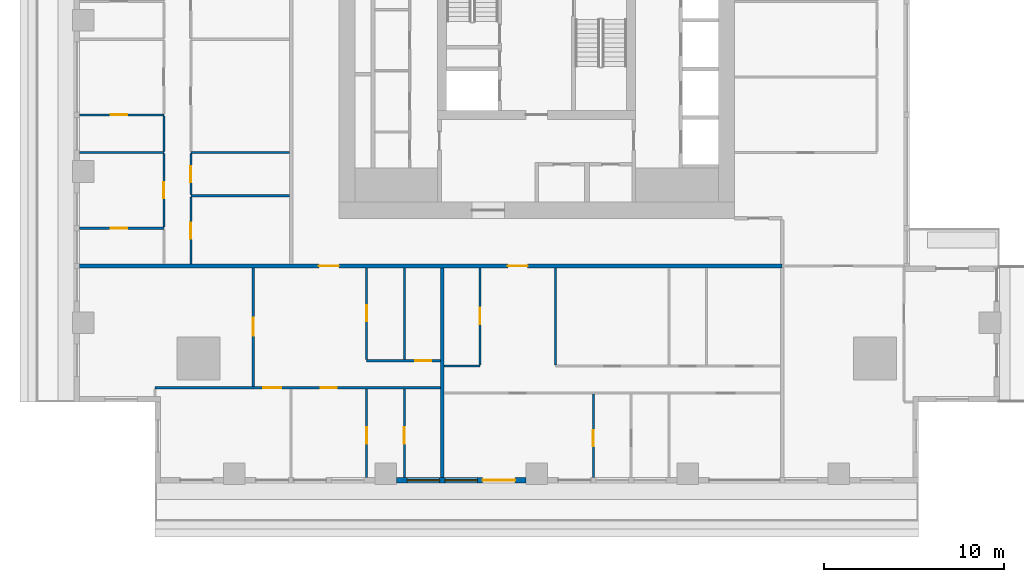
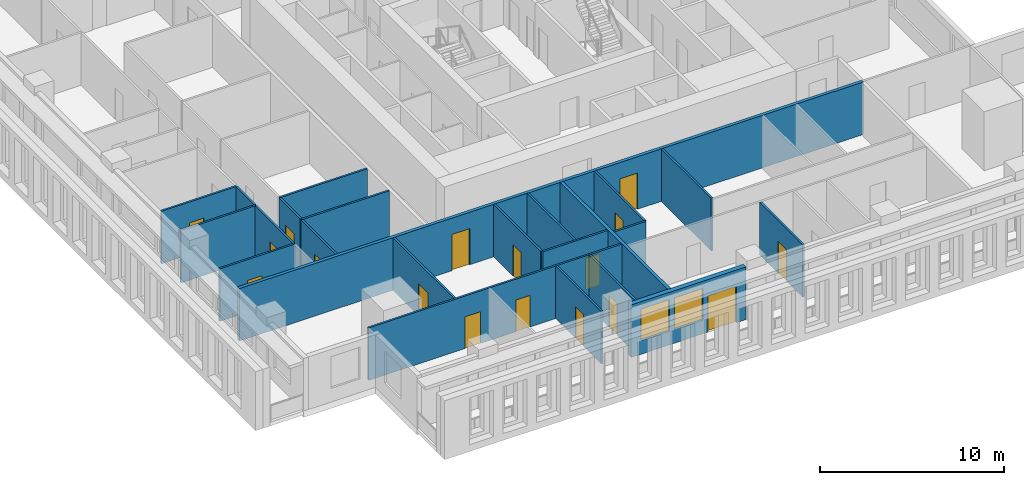
# One storey, part 2 of 15: 23 walls, 17 doors, 2 windows, 19 openings.
"""IFC4 building model written with IfcOpenShell, lengths in metres."""

from ifc_helpers import new_model, si_unit, direction, frame, frame_2d, origin, place, context, subcontext, project, spatial, rectangle, extrude, material, layer, layer_set, type_object, element, fill, save


model = new_model("IFC4")

# Units and contexts
model_context = context("Model", 3, precision=1e-05, world=origin(), true_north=direction((0.0, 1.0)))
body_context = subcontext(model_context, "Body", "Model", "MODEL_VIEW")
ifc_project = project(units=[si_unit("LENGTHUNIT", "METRE"), si_unit("AREAUNIT", "SQUARE_METRE"), si_unit("VOLUMEUNIT", "CUBIC_METRE"), si_unit("PLANEANGLEUNIT", "RADIAN"), si_unit("MASSUNIT", "GRAM", prefix="KILO")], contexts=[model_context])

# Site, building, storey
site_placement = place(None, origin())
site = spatial("IfcSite", under=ifc_project, at=site_placement, CompositionType="ELEMENT")
building_placement = place(site_placement, origin())
building = spatial("IfcBuilding", under=site, at=building_placement, Name="Khepri Terraces", CompositionType="ELEMENT")
storey_placement = place(building_placement, frame((0.0, 0.0, 227.39990234375)))
storey = spatial("IfcBuildingStorey", under=building, at=storey_placement, Name="L54", CompositionType="ELEMENT", Elevation=227.39990234375)

# Wall
ifc_material_1 = material(Name="Fire-rated gypsum plasterboard partition, mineral wool")
ifc_layer_1 = layer(ifc_material_1, 0.199951171875, Name="Fire-rated gypsum plasterboard partition, mineral wool")
ifc_layer_set_1 = layer_set([ifc_layer_1], Name="Fire-rated gypsum plasterboard partition, mineral wool")
wall_type_1 = type_object("IfcWallType", Name="WL-CORR-200", PredefinedType="PARTITIONING", material=ifc_layer_set_1)
wall_1_placement = place(storey_placement, frame((-5.25, -25.419921875, 0.0), z_axis=(0.0, 0.0, 1.0), x_axis=(0.0, 1.0, 0.0)))
element("IfcWall", 1, at=wall_1_placement, inside=storey, type_object=wall_type_1, Name="Partition P-004 L54", PredefinedType="PARTITIONING", context=body_context, shape_type="SweptSolid", body=[
    extrude(rectangle(XDim=11.669921875, YDim=0.199951171875, at=frame_2d((5.8349609375, 0.0))), origin(), (0.0, 0.0, 1.0), 3.47998046875),
])

# Wall, openings, doors
wall_2_placement = place(storey_placement, frame((-25.419921875, -13.64990234375, 0.0), z_axis=(0.0, 0.0, 1.0), x_axis=(1.0, 0.0, 0.0)))
wall_2 = element("IfcWall", 2, at=wall_2_placement, inside=storey, type_object=wall_type_1, Name="Partition P-025 L54", PredefinedType="PARTITIONING", context=body_context, shape_type="SweptSolid", body=[
    extrude(rectangle(XDim=39.06982421875, YDim=0.199951171875, at=frame_2d((19.534912109375, 0.0))), origin(), (0.0, 0.0, 1.0), 3.47998046875),
])
opening_1_placement = place(wall_2_placement, frame((13.320068359375, 0.0, 0.0)))
opening_1 = element("IfcOpeningElement", 3, at=opening_1_placement, cuts=wall_2, Name="Opening D1", PredefinedType="OPENING", context=body_context, shape_type="SweptSolid", body=[
    extrude(rectangle(XDim=1.10009765625, YDim=2.39990234375, at=frame_2d((0.550048828125, 1.199951171875))), frame((0.0, 0.10986328125, 0.0), z_axis=(0.0, -1.0, 0.0), x_axis=(1.0, 0.0, 0.0)), (0.0, 0.0, 1.0), 0.219970703125),
])
opening_2_placement = place(wall_2_placement, frame((23.820068359375, 0.0, 0.0)))
opening_2 = element("IfcOpeningElement", 4, at=opening_2_placement, cuts=wall_2, Name="Opening D1", PredefinedType="OPENING", context=body_context, shape_type="SweptSolid", body=[
    extrude(rectangle(XDim=1.10009765625, YDim=2.39990234375, at=frame_2d((0.550048828125, 1.199951171875))), frame((0.0, 0.10986328125, 0.0), z_axis=(0.0, -1.0, 0.0), x_axis=(1.0, 0.0, 0.0)), (0.0, 0.0, 1.0), 0.219970703125),
])
ifc_material_2 = material(Name="Solid-core timber door leaf, flat entrance door", Category="wood")
door_type_1 = type_object("IfcDoorType", Name="DR-ENT-1100", OperationType="NOTDEFINED", PredefinedType="DOOR", material=ifc_material_2)
door_1_placement = place(opening_1_placement, frame((1.10009765625, 0.0, 0.0), z_axis=(0.0, 0.0, 1.0), x_axis=(-1.0, 0.0, 0.0)))
door_1 = element("IfcDoor", 5, at=door_1_placement, inside=storey, type_object=door_type_1, Name="Flat A1 entrance door", OperationType="SINGLE_SWING_RIGHT", OverallHeight=2.39990234375, OverallWidth=1.10009765625, PredefinedType="DOOR", context=body_context, shape_type="SweptSolid", body=[
    extrude(rectangle(XDim=1.10009765625, YDim=2.39990234375, at=frame_2d((0.550048828125, 1.199951171875))), frame((0.0, 0.02490234375, 0.0), z_axis=(0.0, -1.0, 0.0), x_axis=(1.0, 0.0, 0.0)), (0.0, 0.0, 1.0), 0.050048828125),
])
fill(opening_1, door_1)
door_2_placement = place(opening_2_placement, frame((1.10009765625, 0.0, 0.0), z_axis=(0.0, 0.0, 1.0), x_axis=(-1.0, 0.0, 0.0)))
door_2 = element("IfcDoor", 6, at=door_2_placement, inside=storey, type_object=door_type_1, Name="Flat A2 entrance door", OperationType="SINGLE_SWING_LEFT", OverallHeight=2.39990234375, OverallWidth=1.10009765625, PredefinedType="DOOR", context=body_context, shape_type="SweptSolid", body=[
    extrude(rectangle(XDim=1.10009765625, YDim=2.39990234375, at=frame_2d((0.550048828125, 1.199951171875))), frame((0.0, 0.02490234375, 0.0), z_axis=(0.0, -1.0, 0.0), x_axis=(1.0, 0.0, 0.0)), (0.0, 0.0, 1.0), 0.050048828125),
])
fill(opening_2, door_2)

# Wall, openings, door, windows
ifc_material_3 = material(Name="Precast concrete C50/60 warm stone", Category="masonry")
ifc_layer_2 = layer(ifc_material_3, 0.300048828125, Name="Precast concrete C50/60 warm stone", Category="masonry")
ifc_layer_set_2 = layer_set([ifc_layer_2], Name="Precast concrete C50/60 warm stone")
wall_type_2 = type_object("IfcWallType", Name="WL-EXT-PRECAST-300", PredefinedType="STANDARD", material=ifc_layer_set_2)
wall_3_placement = place(storey_placement, frame((-7.800048828125, -25.570068359375, 0.0), z_axis=(0.0, 0.0, 1.0), x_axis=(1.0, 0.0, 0.0)))
wall_3 = element("IfcWall", 7, at=wall_3_placement, inside=storey, type_object=wall_type_2, Name="External wall L54 S", PredefinedType="STANDARD", context=body_context, shape_type="SweptSolid", body=[
    extrude(rectangle(XDim=7.199951171875, YDim=0.300048828125, at=frame_2d((3.60009765625, 0.0))), origin(), (0.0, 0.0, 1.0), 3.47998046875),
])
opening_3_placement = place(wall_3_placement, frame((0.60009765625, 0.0, 0.89990234375)))
opening_3 = element("IfcOpeningElement", 8, at=opening_3_placement, cuts=wall_3, Name="Opening W1", PredefinedType="OPENING", context=body_context, shape_type="SweptSolid", body=[
    extrude(rectangle(XDim=1.800048828125, YDim=2.10009765625, at=frame_2d((0.89990234375, 1.050048828125))), frame((0.0, 0.16015625, 0.0), z_axis=(0.0, -1.0, 0.0), x_axis=(1.0, 0.0, 0.0)), (0.0, 0.0, 1.0), 0.320068359375),
])
opening_4_placement = place(wall_3_placement, frame((2.699951171875, 0.0, 0.89990234375)))
opening_4 = element("IfcOpeningElement", 9, at=opening_4_placement, cuts=wall_3, Name="Opening W1", PredefinedType="OPENING", context=body_context, shape_type="SweptSolid", body=[
    extrude(rectangle(XDim=1.800048828125, YDim=2.10009765625, at=frame_2d((0.89990234375, 1.050048828125))), frame((0.0, 0.16015625, 0.0), z_axis=(0.0, -1.0, 0.0), x_axis=(1.0, 0.0, 0.0)), (0.0, 0.0, 1.0), 0.320068359375),
])
opening_5_placement = place(wall_3_placement, frame((4.800048828125, 0.0, 0.0)))
opening_5 = element("IfcOpeningElement", 10, at=opening_5_placement, cuts=wall_3, Name="Opening ED-L54-16", PredefinedType="OPENING", context=body_context, shape_type="SweptSolid", body=[
    extrude(rectangle(XDim=1.800048828125, YDim=2.39990234375, at=frame_2d((0.89990234375, 1.199951171875))), frame((0.0, 0.16015625, 0.0), z_axis=(0.0, -1.0, 0.0), x_axis=(1.0, 0.0, 0.0)), (0.0, 0.0, 1.0), 0.320068359375),
])
ifc_material_4 = material(Name="Anodised aluminium bronze glazed door", Category="aluminium")
door_type_2 = type_object("IfcDoorType", Name="DR-BAL-SLIDE-1800x2400", OperationType="NOTDEFINED", PredefinedType="DOOR", material=ifc_material_4)
door_3_placement = place(opening_5_placement, origin())
door_3 = element("IfcDoor", 11, at=door_3_placement, inside=storey, type_object=door_type_2, Name="Balcony door L54 S", OperationType="SLIDING_TO_RIGHT", OverallHeight=2.39990234375, OverallWidth=1.800048828125, PredefinedType="DOOR", context=body_context, shape_type="SweptSolid", body=[
    extrude(rectangle(XDim=1.800048828125, YDim=2.39990234375, at=frame_2d((0.89990234375, 1.199951171875))), frame((0.0, 0.02490234375, 0.0), z_axis=(0.0, -1.0, 0.0), x_axis=(1.0, 0.0, 0.0)), (0.0, 0.0, 1.0), 0.050048828125),
])
fill(opening_5, door_3)
ifc_material_5 = material(Name="Clear glass", Category="glass")
window_type = type_object("IfcWindowType", Name="WIN-RES-1800x2100", PartitioningType="SINGLE_PANEL", PredefinedType="WINDOW", material=ifc_material_5)
window_1_placement = place(opening_3_placement, origin())
window_1 = element("IfcWindow", 12, at=window_1_placement, inside=storey, type_object=window_type, Name="Window L54 S", OverallHeight=2.10009765625, OverallWidth=1.800048828125, PartitioningType="SINGLE_PANEL", PredefinedType="WINDOW", context=body_context, shape_type="SweptSolid", body=[
    extrude(rectangle(XDim=1.800048828125, YDim=2.10009765625, at=frame_2d((0.89990234375, 1.050048828125))), frame((0.0, 0.030029296875, 0.0), z_axis=(0.0, -1.0, 0.0), x_axis=(1.0, 0.0, 0.0)), (0.0, 0.0, 1.0), 0.06005859375),
])
fill(opening_3, window_1)
window_2_placement = place(opening_4_placement, origin())
window_2 = element("IfcWindow", 13, at=window_2_placement, inside=storey, type_object=window_type, Name="Window L54 S", OverallHeight=2.10009765625, OverallWidth=1.800048828125, PartitioningType="SINGLE_PANEL", PredefinedType="WINDOW", context=body_context, shape_type="SweptSolid", body=[
    extrude(rectangle(XDim=1.800048828125, YDim=2.10009765625, at=frame_2d((0.89990234375, 1.050048828125))), frame((0.0, 0.030029296875, 0.0), z_axis=(0.0, -1.0, 0.0), x_axis=(1.0, 0.0, 0.0)), (0.0, 0.0, 1.0), 0.06005859375),
])
fill(opening_4, window_2)

# Wall, opening, door
ifc_material_6 = material(Name="Gypsum plasterboard partition")
ifc_layer_3 = layer(ifc_material_6, 0.1201171875, Name="Gypsum plasterboard partition")
ifc_layer_set_3 = layer_set([ifc_layer_3], Name="Gypsum plasterboard partition")
wall_type_3 = type_object("IfcWallType", Name="WL-PART-120", PredefinedType="PARTITIONING", material=ifc_layer_set_3)
wall_4_placement = place(storey_placement, frame((-9.449951171875, -25.419921875, 0.0), z_axis=(0.0, 0.0, 1.0), x_axis=(0.0, 1.0, 0.0)))
wall_4 = element("IfcWall", 14, at=wall_4_placement, inside=storey, type_object=wall_type_3, Name="Partition P-002 L54", PredefinedType="PARTITIONING", context=body_context, shape_type="SweptSolid", body=[
    extrude(rectangle(XDim=4.93994140625, YDim=0.1201171875, at=frame_2d((2.469970703125, 0.0))), origin(), (0.0, 0.0, 1.0), 3.47998046875),
])
opening_6_placement = place(wall_4_placement, frame((1.89990234375, 0.0, 0.0)))
opening_6 = element("IfcOpeningElement", 15, at=opening_6_placement, cuts=wall_4, Name="Opening D3", PredefinedType="OPENING", context=body_context, shape_type="SweptSolid", body=[
    extrude(rectangle(XDim=0.89990234375, YDim=2.10009765625, at=frame_2d((0.449951171875, 1.050048828125))), frame((0.0, 0.070068359375, 0.0), z_axis=(0.0, -1.0, 0.0), x_axis=(1.0, 0.0, 0.0)), (0.0, 0.0, 1.0), 0.14013671875),
])
ifc_material_7 = material(Name="Timber door leaf", Category="wood")
door_type_3 = type_object("IfcDoorType", Name="DR-INT-900", OperationType="NOTDEFINED", PredefinedType="DOOR", material=ifc_material_7)
door_4_placement = place(opening_6_placement, frame((0.89990234375, 0.0, 0.0), z_axis=(0.0, 0.0, 1.0), x_axis=(-1.0, 0.0, 0.0)))
door_4 = element("IfcDoor", 16, at=door_4_placement, inside=storey, type_object=door_type_3, Name="Door Dressing Room", OperationType="SINGLE_SWING_RIGHT", OverallHeight=2.10009765625, OverallWidth=0.89990234375, PredefinedType="DOOR", context=body_context, shape_type="SweptSolid", body=[
    extrude(rectangle(XDim=0.89990234375, YDim=2.10009765625, at=frame_2d((0.449951171875, 1.050048828125))), frame((0.0, 0.02490234375, 0.0), z_axis=(0.0, -1.0, 0.0), x_axis=(1.0, 0.0, 0.0)), (0.0, 0.0, 1.0), 0.050048828125),
])
fill(opening_6, door_4)

wall_5_placement = place(storey_placement, frame((-7.35009765625, -25.419921875, 0.0), z_axis=(0.0, 0.0, 1.0), x_axis=(0.0, 1.0, 0.0)))
wall_5 = element("IfcWall", 17, at=wall_5_placement, inside=storey, type_object=wall_type_3, Name="Partition P-003 L54", PredefinedType="PARTITIONING", context=body_context, shape_type="SweptSolid", body=[
    extrude(rectangle(XDim=4.93994140625, YDim=0.1201171875, at=frame_2d((2.469970703125, 0.0))), origin(), (0.0, 0.0, 1.0), 3.47998046875),
])
opening_7_placement = place(wall_5_placement, frame((1.89990234375, 0.0, 0.0)))
opening_7 = element("IfcOpeningElement", 18, at=opening_7_placement, cuts=wall_5, Name="Opening D4", PredefinedType="OPENING", context=body_context, shape_type="SweptSolid", body=[
    extrude(rectangle(XDim=0.89990234375, YDim=2.10009765625, at=frame_2d((0.449951171875, 1.050048828125))), frame((0.0, 0.070068359375, 0.0), z_axis=(0.0, -1.0, 0.0), x_axis=(1.0, 0.0, 0.0)), (0.0, 0.0, 1.0), 0.14013671875),
])
ifc_material_8 = material(Name="Timber door leaf, moisture resistant", Category="wood")
door_type_4 = type_object("IfcDoorType", Name="DR-WET-900", OperationType="NOTDEFINED", PredefinedType="DOOR", material=ifc_material_8)
door_5_placement = place(opening_7_placement, frame((0.89990234375, 0.0, 0.0), z_axis=(0.0, 0.0, 1.0), x_axis=(-1.0, 0.0, 0.0)))
door_5 = element("IfcDoor", 19, at=door_5_placement, inside=storey, type_object=door_type_4, Name="Door Bathroom", OperationType="SINGLE_SWING_RIGHT", OverallHeight=2.10009765625, OverallWidth=0.89990234375, PredefinedType="DOOR", context=body_context, shape_type="SweptSolid", body=[
    extrude(rectangle(XDim=0.89990234375, YDim=2.10009765625, at=frame_2d((0.449951171875, 1.050048828125))), frame((0.0, 0.02490234375, 0.0), z_axis=(0.0, -1.0, 0.0), x_axis=(1.0, 0.0, 0.0)), (0.0, 0.0, 1.0), 0.050048828125),
])
fill(opening_7, door_5)

wall_6_placement = place(storey_placement, frame((3.14990234375, -25.419921875, 0.0), z_axis=(0.0, 0.0, 1.0), x_axis=(0.0, 1.0, 0.0)))
wall_6 = element("IfcWall", 20, at=wall_6_placement, inside=storey, type_object=wall_type_3, Name="Partition P-005 L54", PredefinedType="PARTITIONING", context=body_context, shape_type="SweptSolid", body=[
    extrude(rectangle(XDim=4.639892578125, YDim=0.1201171875, at=frame_2d((2.31982421875, 0.0))), origin(), (0.0, 0.0, 1.0), 3.47998046875),
])
opening_8_placement = place(wall_6_placement, frame((1.75, 0.0, 0.0)))
opening_8 = element("IfcOpeningElement", 21, at=opening_8_placement, cuts=wall_6, Name="Opening D3", PredefinedType="OPENING", context=body_context, shape_type="SweptSolid", body=[
    extrude(rectangle(XDim=0.89990234375, YDim=2.10009765625, at=frame_2d((0.449951171875, 1.050048828125))), frame((0.0, 0.070068359375, 0.0), z_axis=(0.0, -1.0, 0.0), x_axis=(1.0, 0.0, 0.0)), (0.0, 0.0, 1.0), 0.14013671875),
])
door_6_placement = place(opening_8_placement, frame((0.89990234375, 0.0, 0.0), z_axis=(0.0, 0.0, 1.0), x_axis=(-1.0, 0.0, 0.0)))
door_6 = element("IfcDoor", 22, at=door_6_placement, inside=storey, type_object=door_type_3, Name="Door Dressing Room", OperationType="SINGLE_SWING_RIGHT", OverallHeight=2.10009765625, OverallWidth=0.89990234375, PredefinedType="DOOR", context=body_context, shape_type="SweptSolid", body=[
    extrude(rectangle(XDim=0.89990234375, YDim=2.10009765625, at=frame_2d((0.449951171875, 1.050048828125))), frame((0.0, 0.02490234375, 0.0), z_axis=(0.0, -1.0, 0.0), x_axis=(1.0, 0.0, 0.0)), (0.0, 0.0, 1.0), 0.050048828125),
])
fill(opening_8, door_6)

# Wall, openings, doors
wall_7_placement = place(storey_placement, frame((-21.218994140625, -20.419921875, 0.0), z_axis=(0.0, 0.0, 1.0), x_axis=(1.0, 0.0, 0.0)))
wall_7 = element("IfcWall", 23, at=wall_7_placement, inside=storey, type_object=wall_type_3, Name="Partition P-013 L54", PredefinedType="PARTITIONING", context=body_context, shape_type="SweptSolid", body=[
    extrude(rectangle(XDim=15.868896484375, YDim=0.1201171875, at=frame_2d((7.9345703125, 0.0))), origin(), (0.0, 0.0, 1.0), 3.47998046875),
])
opening_9_placement = place(wall_7_placement, frame((6.01904296875, 0.0, 0.0)))
opening_9 = element("IfcOpeningElement", 24, at=opening_9_placement, cuts=wall_7, Name="Opening D2", PredefinedType="OPENING", context=body_context, shape_type="SweptSolid", body=[
    extrude(rectangle(XDim=1.0, YDim=2.10009765625, at=frame_2d((0.5, 1.050048828125))), frame((0.0, 0.070068359375, 0.0), z_axis=(0.0, -1.0, 0.0), x_axis=(1.0, 0.0, 0.0)), (0.0, 0.0, 1.0), 0.14013671875),
])
opening_10_placement = place(wall_7_placement, frame((9.218994140625, 0.0, 0.0)))
opening_10 = element("IfcOpeningElement", 25, at=opening_10_placement, cuts=wall_7, Name="Opening D3", PredefinedType="OPENING", context=body_context, shape_type="SweptSolid", body=[
    extrude(rectangle(XDim=0.89990234375, YDim=2.10009765625, at=frame_2d((0.449951171875, 1.050048828125))), frame((0.0, 0.070068359375, 0.0), z_axis=(0.0, -1.0, 0.0), x_axis=(1.0, 0.0, 0.0)), (0.0, 0.0, 1.0), 0.14013671875),
])
ifc_material_9 = material(Name="Timber door leaf, living room door", Category="wood")
door_type_5 = type_object("IfcDoorType", Name="DR-INT-1000", OperationType="NOTDEFINED", PredefinedType="DOOR", material=ifc_material_9)
door_7_placement = place(opening_9_placement, frame((1.0, 0.0, 0.0), z_axis=(0.0, 0.0, 1.0), x_axis=(-1.0, 0.0, 0.0)))
door_7 = element("IfcDoor", 26, at=door_7_placement, inside=storey, type_object=door_type_5, Name="Door Living Room", OperationType="SINGLE_SWING_RIGHT", OverallHeight=2.10009765625, OverallWidth=1.0, PredefinedType="DOOR", context=body_context, shape_type="SweptSolid", body=[
    extrude(rectangle(XDim=1.0, YDim=2.10009765625, at=frame_2d((0.5, 1.050048828125))), frame((0.0, 0.02490234375, 0.0), z_axis=(0.0, -1.0, 0.0), x_axis=(1.0, 0.0, 0.0)), (0.0, 0.0, 1.0), 0.050048828125),
])
fill(opening_9, door_7)
door_8_placement = place(opening_10_placement, frame((0.89990234375, 0.0, 0.0), z_axis=(0.0, 0.0, 1.0), x_axis=(-1.0, 0.0, 0.0)))
door_8 = element("IfcDoor", 27, at=door_8_placement, inside=storey, type_object=door_type_3, Name="Door Master Bedroom", OperationType="SINGLE_SWING_LEFT", OverallHeight=2.10009765625, OverallWidth=0.89990234375, PredefinedType="DOOR", context=body_context, shape_type="SweptSolid", body=[
    extrude(rectangle(XDim=0.89990234375, YDim=2.10009765625, at=frame_2d((0.449951171875, 1.050048828125))), frame((0.0, 0.02490234375, 0.0), z_axis=(0.0, -1.0, 0.0), x_axis=(1.0, 0.0, 0.0)), (0.0, 0.0, 1.0), 0.050048828125),
])
fill(opening_10, door_8)

# Wall, opening, door
wall_8_placement = place(storey_placement, frame((-15.75, -20.360107421875, 0.0), z_axis=(0.0, 0.0, 1.0), x_axis=(0.0, 1.0, 0.0)))
wall_8 = element("IfcWall", 28, at=wall_8_placement, inside=storey, type_object=wall_type_3, Name="Partition P-014 L54", PredefinedType="PARTITIONING", context=body_context, shape_type="SweptSolid", body=[
    extrude(rectangle(XDim=6.610107421875, YDim=0.1201171875, at=frame_2d((3.30517578125, 0.0))), origin(), (0.0, 0.0, 1.0), 3.47998046875),
])
opening_11_placement = place(wall_8_placement, frame((2.824951171875, 0.0, 0.0)))
opening_11 = element("IfcOpeningElement", 29, at=opening_11_placement, cuts=wall_8, Name="Opening D2", PredefinedType="OPENING", context=body_context, shape_type="SweptSolid", body=[
    extrude(rectangle(XDim=1.0, YDim=2.10009765625, at=frame_2d((0.5, 1.050048828125))), frame((0.0, 0.070068359375, 0.0), z_axis=(0.0, -1.0, 0.0), x_axis=(1.0, 0.0, 0.0)), (0.0, 0.0, 1.0), 0.14013671875),
])
door_9_placement = place(opening_11_placement, origin())
door_9 = element("IfcDoor", 30, at=door_9_placement, inside=storey, type_object=door_type_5, Name="Door Family Room", OperationType="SINGLE_SWING_RIGHT", OverallHeight=2.10009765625, OverallWidth=1.0, PredefinedType="DOOR", context=body_context, shape_type="SweptSolid", body=[
    extrude(rectangle(XDim=1.0, YDim=2.10009765625, at=frame_2d((0.5, 1.050048828125))), frame((0.0, 0.02490234375, 0.0), z_axis=(0.0, -1.0, 0.0), x_axis=(1.0, 0.0, 0.0)), (0.0, 0.0, 1.0), 0.050048828125),
])
fill(opening_11, door_9)

# Wall
wall_9_placement = place(storey_placement, frame((-5.14990234375, -19.219970703125, 0.0), z_axis=(0.0, 0.0, 1.0), x_axis=(1.0, 0.0, 0.0)))
element("IfcWall", 31, at=wall_9_placement, inside=storey, type_object=wall_type_3, Name="Partition P-015 L54", PredefinedType="PARTITIONING", context=body_context, shape_type="SweptSolid", body=[
    extrude(rectangle(XDim=2.0, YDim=0.1201171875, at=frame_2d((1.0, 0.0))), origin(), (0.0, 0.0, 1.0), 3.47998046875),
])

# Wall, opening, door
wall_10_placement = place(storey_placement, frame((-3.14990234375, -19.159912109375, 0.0), z_axis=(0.0, 0.0, 1.0), x_axis=(0.0, 1.0, 0.0)))
wall_10 = element("IfcWall", 32, at=wall_10_placement, inside=storey, type_object=wall_type_3, Name="Partition P-017 L54", PredefinedType="PARTITIONING", context=body_context, shape_type="SweptSolid", body=[
    extrude(rectangle(XDim=5.409912109375, YDim=0.1201171875, at=frame_2d((2.705078125, 0.0))), origin(), (0.0, 0.0, 1.0), 3.47998046875),
])
opening_12_placement = place(wall_10_placement, frame((2.27490234375, 0.0, 0.0)))
opening_12 = element("IfcOpeningElement", 33, at=opening_12_placement, cuts=wall_10, Name="Opening D4", PredefinedType="OPENING", context=body_context, shape_type="SweptSolid", body=[
    extrude(rectangle(XDim=0.89990234375, YDim=2.10009765625, at=frame_2d((0.449951171875, 1.050048828125))), frame((0.0, 0.070068359375, 0.0), z_axis=(0.0, -1.0, 0.0), x_axis=(1.0, 0.0, 0.0)), (0.0, 0.0, 1.0), 0.14013671875),
])
door_10_placement = place(opening_12_placement, origin())
door_10 = element("IfcDoor", 34, at=door_10_placement, inside=storey, type_object=door_type_4, Name="Door Guest Bathroom", OperationType="SINGLE_SWING_RIGHT", OverallHeight=2.10009765625, OverallWidth=0.89990234375, PredefinedType="DOOR", context=body_context, shape_type="SweptSolid", body=[
    extrude(rectangle(XDim=0.89990234375, YDim=2.10009765625, at=frame_2d((0.449951171875, 1.050048828125))), frame((0.0, 0.02490234375, 0.0), z_axis=(0.0, -1.0, 0.0), x_axis=(1.0, 0.0, 0.0)), (0.0, 0.0, 1.0), 0.050048828125),
])
fill(opening_12, door_10)

# Wall
wall_11_placement = place(storey_placement, frame((1.050048828125, -19.159912109375, 0.0), z_axis=(0.0, 0.0, 1.0), x_axis=(0.0, 1.0, 0.0)))
element("IfcWall", 35, at=wall_11_placement, inside=storey, type_object=wall_type_3, Name="Partition P-018 L54", PredefinedType="PARTITIONING", context=body_context, shape_type="SweptSolid", body=[
    extrude(rectangle(XDim=5.409912109375, YDim=0.1201171875, at=frame_2d((2.705078125, 0.0))), origin(), (0.0, 0.0, 1.0), 3.47998046875),
])

# Wall, opening, door
wall_12_placement = place(storey_placement, frame((-9.449951171875, -18.919921875, 0.0), z_axis=(0.0, 0.0, 1.0), x_axis=(1.0, 0.0, 0.0)))
wall_12 = element("IfcWall", 36, at=wall_12_placement, inside=storey, type_object=wall_type_3, Name="Partition P-021 L54", PredefinedType="PARTITIONING", context=body_context, shape_type="SweptSolid", body=[
    extrude(rectangle(XDim=4.099853515625, YDim=0.1201171875, at=frame_2d((2.0498046875, 0.0))), origin(), (0.0, 0.0, 1.0), 3.47998046875),
])
opening_13_placement = place(wall_12_placement, frame((2.699951171875, 0.0, 0.0)))
opening_13 = element("IfcOpeningElement", 37, at=opening_13_placement, cuts=wall_12, Name="Opening D3", PredefinedType="OPENING", context=body_context, shape_type="SweptSolid", body=[
    extrude(rectangle(XDim=0.89990234375, YDim=2.10009765625, at=frame_2d((0.449951171875, 1.050048828125))), frame((0.0, 0.070068359375, 0.0), z_axis=(0.0, -1.0, 0.0), x_axis=(1.0, 0.0, 0.0)), (0.0, 0.0, 1.0), 0.14013671875),
])
door_11_placement = place(opening_13_placement, origin())
door_11 = element("IfcDoor", 38, at=door_11_placement, inside=storey, type_object=door_type_3, Name="Door Kitchen", OperationType="SINGLE_SWING_RIGHT", OverallHeight=2.10009765625, OverallWidth=0.89990234375, PredefinedType="DOOR", context=body_context, shape_type="SweptSolid", body=[
    extrude(rectangle(XDim=0.89990234375, YDim=2.10009765625, at=frame_2d((0.449951171875, 1.050048828125))), frame((0.0, 0.02490234375, 0.0), z_axis=(0.0, -1.0, 0.0), x_axis=(1.0, 0.0, 0.0)), (0.0, 0.0, 1.0), 0.050048828125),
])
fill(opening_13, door_11)

wall_13_placement = place(storey_placement, frame((-9.449951171875, -18.860107421875, 0.0), z_axis=(0.0, 0.0, 1.0), x_axis=(0.0, 1.0, 0.0)))
wall_13 = element("IfcWall", 39, at=wall_13_placement, inside=storey, type_object=wall_type_3, Name="Partition P-022 L54", PredefinedType="PARTITIONING", context=body_context, shape_type="SweptSolid", body=[
    extrude(rectangle(XDim=5.110107421875, YDim=0.1201171875, at=frame_2d((2.55517578125, 0.0))), origin(), (0.0, 0.0, 1.0), 3.47998046875),
])
opening_14_placement = place(wall_13_placement, frame((2.125, 0.0, 0.0)))
opening_14 = element("IfcOpeningElement", 40, at=opening_14_placement, cuts=wall_13, Name="Opening D4", PredefinedType="OPENING", context=body_context, shape_type="SweptSolid", body=[
    extrude(rectangle(XDim=0.89990234375, YDim=2.10009765625, at=frame_2d((0.449951171875, 1.050048828125))), frame((0.0, 0.070068359375, 0.0), z_axis=(0.0, -1.0, 0.0), x_axis=(1.0, 0.0, 0.0)), (0.0, 0.0, 1.0), 0.14013671875),
])
door_12_placement = place(opening_14_placement, frame((0.89990234375, 0.0, 0.0), z_axis=(0.0, 0.0, 1.0), x_axis=(-1.0, 0.0, 0.0)))
door_12 = element("IfcDoor", 41, at=door_12_placement, inside=storey, type_object=door_type_4, Name="Door Guest Bathroom", OperationType="SINGLE_SWING_LEFT", OverallHeight=2.10009765625, OverallWidth=0.89990234375, PredefinedType="DOOR", context=body_context, shape_type="SweptSolid", body=[
    extrude(rectangle(XDim=0.89990234375, YDim=2.10009765625, at=frame_2d((0.449951171875, 1.050048828125))), frame((0.0, 0.02490234375, 0.0), z_axis=(0.0, -1.0, 0.0), x_axis=(1.0, 0.0, 0.0)), (0.0, 0.0, 1.0), 0.050048828125),
])
fill(opening_14, door_12)

# Wall
wall_14_placement = place(storey_placement, frame((-7.35009765625, -18.860107421875, 0.0), z_axis=(0.0, 0.0, 1.0), x_axis=(0.0, 1.0, 0.0)))
element("IfcWall", 42, at=wall_14_placement, inside=storey, type_object=wall_type_3, Name="Partition P-023 L54", PredefinedType="PARTITIONING", context=body_context, shape_type="SweptSolid", body=[
    extrude(rectangle(XDim=5.110107421875, YDim=0.1201171875, at=frame_2d((2.55517578125, 0.0))), origin(), (0.0, 0.0, 1.0), 3.47998046875),
])

# Wall, opening, door
wall_15_placement = place(storey_placement, frame((-19.219970703125, -13.550048828125, 0.0), z_axis=(0.0, 0.0, 1.0), x_axis=(0.0, 1.0, 0.0)))
wall_15 = element("IfcWall", 43, at=wall_15_placement, inside=storey, type_object=wall_type_3, Name="Partition P-028 L54", PredefinedType="PARTITIONING", context=body_context, shape_type="SweptSolid", body=[
    extrude(rectangle(XDim=3.739990234375, YDim=0.1201171875, at=frame_2d((1.8701171875, 0.0))), origin(), (0.0, 0.0, 1.0), 3.47998046875),
])
opening_15_placement = place(wall_15_placement, frame((1.39990234375, 0.0, 0.0)))
opening_15 = element("IfcOpeningElement", 44, at=opening_15_placement, cuts=wall_15, Name="Opening D4", PredefinedType="OPENING", context=body_context, shape_type="SweptSolid", body=[
    extrude(rectangle(XDim=0.89990234375, YDim=2.10009765625, at=frame_2d((0.449951171875, 1.050048828125))), frame((0.0, 0.070068359375, 0.0), z_axis=(0.0, -1.0, 0.0), x_axis=(1.0, 0.0, 0.0)), (0.0, 0.0, 1.0), 0.14013671875),
])
door_13_placement = place(opening_15_placement, frame((0.89990234375, 0.0, 0.0), z_axis=(0.0, 0.0, 1.0), x_axis=(-1.0, 0.0, 0.0)))
door_13 = element("IfcDoor", 45, at=door_13_placement, inside=storey, type_object=door_type_4, Name="Door Guest Bathroom", OperationType="SINGLE_SWING_RIGHT", OverallHeight=2.10009765625, OverallWidth=0.89990234375, PredefinedType="DOOR", context=body_context, shape_type="SweptSolid", body=[
    extrude(rectangle(XDim=0.89990234375, YDim=2.10009765625, at=frame_2d((0.449951171875, 1.050048828125))), frame((0.0, 0.02490234375, 0.0), z_axis=(0.0, -1.0, 0.0), x_axis=(1.0, 0.0, 0.0)), (0.0, 0.0, 1.0), 0.050048828125),
])
fill(opening_15, door_13)

wall_16_placement = place(storey_placement, frame((-25.419921875, -11.550048828125, 0.0), z_axis=(0.0, 0.0, 1.0), x_axis=(1.0, 0.0, 0.0)))
wall_16 = element("IfcWall", 46, at=wall_16_placement, inside=storey, type_object=wall_type_3, Name="Partition P-031 L54", PredefinedType="PARTITIONING", context=body_context, shape_type="SweptSolid", body=[
    extrude(rectangle(XDim=4.699951171875, YDim=0.1201171875, at=frame_2d((2.35009765625, 0.0))), origin(), (0.0, 0.0, 1.0), 3.47998046875),
])
opening_16_placement = place(wall_16_placement, frame((1.75, 0.0, 0.0)))
opening_16 = element("IfcOpeningElement", 47, at=opening_16_placement, cuts=wall_16, Name="Opening D4", PredefinedType="OPENING", context=body_context, shape_type="SweptSolid", body=[
    extrude(rectangle(XDim=0.89990234375, YDim=2.10009765625, at=frame_2d((0.449951171875, 1.050048828125))), frame((0.0, 0.070068359375, 0.0), z_axis=(0.0, -1.0, 0.0), x_axis=(1.0, 0.0, 0.0)), (0.0, 0.0, 1.0), 0.14013671875),
])
door_14_placement = place(opening_16_placement, frame((0.89990234375, 0.0, 0.0), z_axis=(0.0, 0.0, 1.0), x_axis=(-1.0, 0.0, 0.0)))
door_14 = element("IfcDoor", 48, at=door_14_placement, inside=storey, type_object=door_type_4, Name="Door Bathroom", OperationType="SINGLE_SWING_RIGHT", OverallHeight=2.10009765625, OverallWidth=0.89990234375, PredefinedType="DOOR", context=body_context, shape_type="SweptSolid", body=[
    extrude(rectangle(XDim=0.89990234375, YDim=2.10009765625, at=frame_2d((0.449951171875, 1.050048828125))), frame((0.0, 0.02490234375, 0.0), z_axis=(0.0, -1.0, 0.0), x_axis=(1.0, 0.0, 0.0)), (0.0, 0.0, 1.0), 0.050048828125),
])
fill(opening_16, door_14)

wall_17_placement = place(storey_placement, frame((-20.719970703125, -11.489990234375, 0.0), z_axis=(0.0, 0.0, 1.0), x_axis=(0.0, 1.0, 0.0)))
wall_17 = element("IfcWall", 49, at=wall_17_placement, inside=storey, type_object=wall_type_3, Name="Partition P-032 L54", PredefinedType="PARTITIONING", context=body_context, shape_type="SweptSolid", body=[
    extrude(rectangle(XDim=4.080078125, YDim=0.1201171875, at=frame_2d((2.0400390625, 0.0))), origin(), (0.0, 0.0, 1.0), 3.47998046875),
])
opening_17_placement = place(wall_17_placement, frame((1.590087890625, 0.0, 0.0)))
opening_17 = element("IfcOpeningElement", 50, at=opening_17_placement, cuts=wall_17, Name="Opening D3", PredefinedType="OPENING", context=body_context, shape_type="SweptSolid", body=[
    extrude(rectangle(XDim=0.89990234375, YDim=2.10009765625, at=frame_2d((0.449951171875, 1.050048828125))), frame((0.0, 0.070068359375, 0.0), z_axis=(0.0, -1.0, 0.0), x_axis=(1.0, 0.0, 0.0)), (0.0, 0.0, 1.0), 0.14013671875),
])
door_15_placement = place(opening_17_placement, origin())
door_15 = element("IfcDoor", 51, at=door_15_placement, inside=storey, type_object=door_type_3, Name="Door Bedroom", OperationType="SINGLE_SWING_RIGHT", OverallHeight=2.10009765625, OverallWidth=0.89990234375, PredefinedType="DOOR", context=body_context, shape_type="SweptSolid", body=[
    extrude(rectangle(XDim=0.89990234375, YDim=2.10009765625, at=frame_2d((0.449951171875, 1.050048828125))), frame((0.0, 0.02490234375, 0.0), z_axis=(0.0, -1.0, 0.0), x_axis=(1.0, 0.0, 0.0)), (0.0, 0.0, 1.0), 0.050048828125),
])
fill(opening_17, door_15)

# Wall
wall_18_placement = place(storey_placement, frame((-19.219970703125, -9.75, 0.0), z_axis=(0.0, 0.0, 1.0), x_axis=(1.0, 0.0, 0.0)))
element("IfcWall", 52, at=wall_18_placement, inside=storey, type_object=wall_type_3, Name="Partition P-034 L54", PredefinedType="PARTITIONING", context=body_context, shape_type="SweptSolid", body=[
    extrude(rectangle(XDim=5.469970703125, YDim=0.1201171875, at=frame_2d((2.73486328125, 0.0))), origin(), (0.0, 0.0, 1.0), 3.47998046875),
])

# Wall, opening, door
wall_19_placement = place(storey_placement, frame((-19.219970703125, -9.68994140625, 0.0), z_axis=(0.0, 0.0, 1.0), x_axis=(0.0, 1.0, 0.0)))
wall_19 = element("IfcWall", 53, at=wall_19_placement, inside=storey, type_object=wall_type_3, Name="Partition P-035 L54", PredefinedType="PARTITIONING", context=body_context, shape_type="SweptSolid", body=[
    extrude(rectangle(XDim=2.280029296875, YDim=0.1201171875, at=frame_2d((1.14013671875, 0.0))), origin(), (0.0, 0.0, 1.0), 3.47998046875),
])
opening_18_placement = place(wall_19_placement, frame((0.68994140625, 0.0, 0.0)))
opening_18 = element("IfcOpeningElement", 54, at=opening_18_placement, cuts=wall_19, Name="Opening D4", PredefinedType="OPENING", context=body_context, shape_type="SweptSolid", body=[
    extrude(rectangle(XDim=0.89990234375, YDim=2.10009765625, at=frame_2d((0.449951171875, 1.050048828125))), frame((0.0, 0.070068359375, 0.0), z_axis=(0.0, -1.0, 0.0), x_axis=(1.0, 0.0, 0.0)), (0.0, 0.0, 1.0), 0.14013671875),
])
door_16_placement = place(opening_18_placement, frame((0.89990234375, 0.0, 0.0), z_axis=(0.0, 0.0, 1.0), x_axis=(-1.0, 0.0, 0.0)))
door_16 = element("IfcDoor", 55, at=door_16_placement, inside=storey, type_object=door_type_4, Name="Door Powder Room", OperationType="SINGLE_SWING_RIGHT", OverallHeight=2.10009765625, OverallWidth=0.89990234375, PredefinedType="DOOR", context=body_context, shape_type="SweptSolid", body=[
    extrude(rectangle(XDim=0.89990234375, YDim=2.10009765625, at=frame_2d((0.449951171875, 1.050048828125))), frame((0.0, 0.02490234375, 0.0), z_axis=(0.0, -1.0, 0.0), x_axis=(1.0, 0.0, 0.0)), (0.0, 0.0, 1.0), 0.050048828125),
])
fill(opening_18, door_16)

# Walls
wall_20_placement = place(storey_placement, frame((-25.419921875, -7.35009765625, 0.0), z_axis=(0.0, 0.0, 1.0), x_axis=(1.0, 0.0, 0.0)))
element("IfcWall", 56, at=wall_20_placement, inside=storey, type_object=wall_type_3, Name="Partition P-036 L54", PredefinedType="PARTITIONING", context=body_context, shape_type="SweptSolid", body=[
    extrude(rectangle(XDim=4.699951171875, YDim=0.1201171875, at=frame_2d((2.35009765625, 0.0))), origin(), (0.0, 0.0, 1.0), 3.47998046875),
])
wall_21_placement = place(storey_placement, frame((-19.219970703125, -7.35009765625, 0.0), z_axis=(0.0, 0.0, 1.0), x_axis=(1.0, 0.0, 0.0)))
element("IfcWall", 57, at=wall_21_placement, inside=storey, type_object=wall_type_3, Name="Partition P-037 L54", PredefinedType="PARTITIONING", context=body_context, shape_type="SweptSolid", body=[
    extrude(rectangle(XDim=5.469970703125, YDim=0.1201171875, at=frame_2d((2.73486328125, 0.0))), origin(), (0.0, 0.0, 1.0), 3.47998046875),
])
wall_22_placement = place(storey_placement, frame((-20.719970703125, -7.2900390625, 0.0), z_axis=(0.0, 0.0, 1.0), x_axis=(0.0, 1.0, 0.0)))
element("IfcWall", 58, at=wall_22_placement, inside=storey, type_object=wall_type_3, Name="Partition P-039 L54", PredefinedType="PARTITIONING", context=body_context, shape_type="SweptSolid", body=[
    extrude(rectangle(XDim=1.97998046875, YDim=0.1201171875, at=frame_2d((0.989990234375, 0.0))), origin(), (0.0, 0.0, 1.0), 3.47998046875),
])

# Wall, opening, door
wall_23_placement = place(storey_placement, frame((-25.419921875, -5.25, 0.0), z_axis=(0.0, 0.0, 1.0), x_axis=(1.0, 0.0, 0.0)))
wall_23 = element("IfcWall", 59, at=wall_23_placement, inside=storey, type_object=wall_type_3, Name="Partition P-042 L54", PredefinedType="PARTITIONING", context=body_context, shape_type="SweptSolid", body=[
    extrude(rectangle(XDim=4.699951171875, YDim=0.1201171875, at=frame_2d((2.35009765625, 0.0))), origin(), (0.0, 0.0, 1.0), 3.47998046875),
])
opening_19_placement = place(wall_23_placement, frame((1.75, 0.0, 0.0)))
opening_19 = element("IfcOpeningElement", 60, at=opening_19_placement, cuts=wall_23, Name="Opening D4", PredefinedType="OPENING", context=body_context, shape_type="SweptSolid", body=[
    extrude(rectangle(XDim=0.89990234375, YDim=2.10009765625, at=frame_2d((0.449951171875, 1.050048828125))), frame((0.0, 0.070068359375, 0.0), z_axis=(0.0, -1.0, 0.0), x_axis=(1.0, 0.0, 0.0)), (0.0, 0.0, 1.0), 0.14013671875),
])
door_17_placement = place(opening_19_placement, frame((0.89990234375, 0.0, 0.0), z_axis=(0.0, 0.0, 1.0), x_axis=(-1.0, 0.0, 0.0)))
door_17 = element("IfcDoor", 61, at=door_17_placement, inside=storey, type_object=door_type_4, Name="Door Bathroom", OperationType="SINGLE_SWING_RIGHT", OverallHeight=2.10009765625, OverallWidth=0.89990234375, PredefinedType="DOOR", context=body_context, shape_type="SweptSolid", body=[
    extrude(rectangle(XDim=0.89990234375, YDim=2.10009765625, at=frame_2d((0.449951171875, 1.050048828125))), frame((0.0, 0.02490234375, 0.0), z_axis=(0.0, -1.0, 0.0), x_axis=(1.0, 0.0, 0.0)), (0.0, 0.0, 1.0), 0.050048828125),
])
fill(opening_19, door_17)

save(model, "model.ifc")
